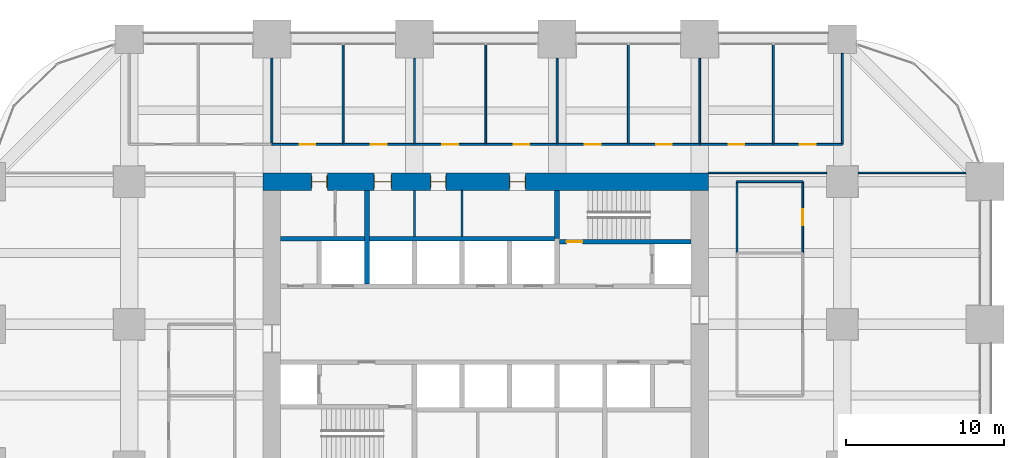
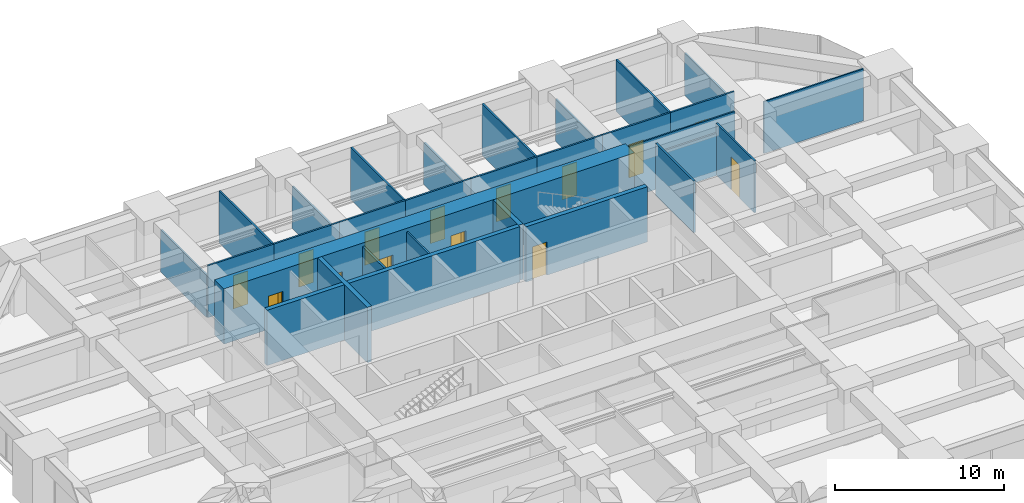
# One storey, part 38 of 40: 29 walls, 14 doors, 14 openings.
"""IFC4 building model written with IfcOpenShell, lengths in metres."""

from ifc_helpers import new_model, si_unit, direction, frame, frame_2d, origin, place, context, subcontext, project, spatial, rectangle, extrude, material, layer, layer_set, type_object, element, fill, save


model = new_model("IFC4")

# Units and contexts
model_context = context("Model", 3, precision=1e-05, world=origin(), true_north=direction((0.0, 1.0)))
body_context = subcontext(model_context, "Body", "Model", "MODEL_VIEW")
ifc_project = project(units=[si_unit("LENGTHUNIT", "METRE"), si_unit("AREAUNIT", "SQUARE_METRE"), si_unit("VOLUMEUNIT", "CUBIC_METRE"), si_unit("PLANEANGLEUNIT", "RADIAN"), si_unit("MASSUNIT", "GRAM", prefix="KILO")], contexts=[model_context])

# Site, building, storey
site_placement = place(None, origin())
site = spatial("IfcSite", under=ifc_project, at=site_placement, CompositionType="ELEMENT")
building_placement = place(site_placement, origin())
building = spatial("IfcBuilding", under=site, at=building_placement, Name="Zorevar Civic Tower", CompositionType="ELEMENT")
storey_placement = place(building_placement, frame((0.0, 0.0, 93.0)))
storey = spatial("IfcBuildingStorey", under=building, at=storey_placement, Name="L22", CompositionType="ELEMENT", Elevation=93.0)

# Wall, openings, doors
ifc_material_1 = material(Name="Concrete C50/60", Category="concrete")
ifc_layer_1 = layer(ifc_material_1, 1.10009765625)
ifc_layer_set_1 = layer_set([ifc_layer_1], Name="Core wall 1100")
wall_type_1 = type_object("IfcWallType", Name="Core wall 1100", PredefinedType="SHEAR", material=ifc_layer_set_1)
wall_1_placement = place(storey_placement, frame((45.550048828125, 36.0, 0.0), z_axis=(0.0, 0.0, 1.0), x_axis=(-1.0, 0.0, 0.0)))
wall_1 = element("IfcWall", 1, at=wall_1_placement, inside=storey, type_object=wall_type_1, Name="Core wall N L22", PredefinedType="SHEAR", context=body_context, shape_type="SweptSolid", body=[
    extrude(rectangle(XDim=28.10009765625, YDim=1.10009765625, at=frame_2d((14.050048828125, 0.0))), origin(), (0.0, 0.0, 1.0), 4.0),
])
opening_1_placement = place(wall_1_placement, frame((11.550048828125, 0.0, 0.0)))
opening_1 = element("IfcOpeningElement", 2, at=opening_1_placement, cuts=wall_1, Name="Opening L22.07", PredefinedType="OPENING", context=body_context, shape_type="SweptSolid", body=[
    extrude(rectangle(XDim=1.0, YDim=2.39990234375, at=frame_2d((0.5, 1.199951171875))), frame((0.0, 0.56005859375, 0.0), z_axis=(0.0, -1.0, 0.0), x_axis=(1.0, 0.0, 0.0)), (0.0, 0.0, 1.0), 1.1201171875),
])
opening_2_placement = place(wall_1_placement, frame((16.550048828125, 0.0, 0.0)))
opening_2 = element("IfcOpeningElement", 3, at=opening_2_placement, cuts=wall_1, Name="Opening L22.08", PredefinedType="OPENING", context=body_context, shape_type="SweptSolid", body=[
    extrude(rectangle(XDim=1.0, YDim=2.39990234375, at=frame_2d((0.5, 1.199951171875))), frame((0.0, 0.56005859375, 0.0), z_axis=(0.0, -1.0, 0.0), x_axis=(1.0, 0.0, 0.0)), (0.0, 0.0, 1.0), 1.1201171875),
])
opening_3_placement = place(wall_1_placement, frame((20.0, 0.0, 0.0)))
opening_3 = element("IfcOpeningElement", 4, at=opening_3_placement, cuts=wall_1, Name="Opening L22.09", PredefinedType="OPENING", context=body_context, shape_type="SweptSolid", body=[
    extrude(rectangle(XDim=1.10009765625, YDim=2.39990234375, at=frame_2d((0.550048828125, 1.199951171875))), frame((0.0, 0.56005859375, 0.0), z_axis=(0.0, -1.0, 0.0), x_axis=(1.0, 0.0, 0.0)), (0.0, 0.0, 1.0), 1.1201171875),
])
opening_4_placement = place(wall_1_placement, frame((24.050048828125, 0.0, 0.0)))
opening_4 = element("IfcOpeningElement", 5, at=opening_4_placement, cuts=wall_1, Name="Opening L22.10", PredefinedType="OPENING", context=body_context, shape_type="SweptSolid", body=[
    extrude(rectangle(XDim=1.0, YDim=2.39990234375, at=frame_2d((0.5, 1.199951171875))), frame((0.0, 0.56005859375, 0.0), z_axis=(0.0, -1.0, 0.0), x_axis=(1.0, 0.0, 0.0)), (0.0, 0.0, 1.0), 1.1201171875),
])
ifc_material_2 = material(Name="Timber door set", Category="wood")
door_type_1 = type_object("IfcDoorType", Name="Door D1 1000x2400", OperationType="SINGLE_SWING_LEFT", PredefinedType="DOOR", material=ifc_material_2)
door_1_placement = place(opening_1_placement, origin())
door_1 = element("IfcDoor", 6, at=door_1_placement, inside=storey, type_object=door_type_1, Name="Door L22 06", OperationType="SINGLE_SWING_LEFT", OverallHeight=2.39990234375, OverallWidth=1.0, PredefinedType="DOOR", context=body_context, shape_type="SweptSolid", body=[
    extrude(rectangle(XDim=1.0, YDim=2.39990234375, at=frame_2d((0.5, 1.199951171875))), frame((0.0, 0.02490234375, 0.0), z_axis=(0.0, -1.0, 0.0), x_axis=(1.0, 0.0, 0.0)), (0.0, 0.0, 1.0), 0.050048828125),
    extrude(rectangle(XDim=0.04, YDim=2.39990234375, at=frame_2d((0.02001953125, 1.199951171875))), frame((0.0, 0.39990234375, 0.0), z_axis=(0.0, -1.0, 0.0), x_axis=(1.0, 0.0, 0.0)), (0.0, 0.0, 1.0), 0.800048828125),
    extrude(rectangle(XDim=0.04, YDim=2.39990234375, at=frame_2d((0.97998046875, 1.199951171875))), frame((0.0, 0.39990234375, 0.0), z_axis=(0.0, -1.0, 0.0), x_axis=(1.0, 0.0, 0.0)), (0.0, 0.0, 1.0), 0.800048828125),
    extrude(rectangle(XDim=1.0, YDim=0.04, at=frame_2d((0.5, 2.3798828125))), frame((0.0, 0.39990234375, 0.0), z_axis=(0.0, -1.0, 0.0), x_axis=(1.0, 0.0, 0.0)), (0.0, 0.0, 1.0), 0.800048828125),
])
fill(opening_1, door_1)
door_2_placement = place(opening_2_placement, origin())
door_2 = element("IfcDoor", 7, at=door_2_placement, inside=storey, type_object=door_type_1, Name="Door L22 07", OperationType="SINGLE_SWING_RIGHT", OverallHeight=2.39990234375, OverallWidth=1.0, PredefinedType="DOOR", context=body_context, shape_type="SweptSolid", body=[
    extrude(rectangle(XDim=1.0, YDim=2.39990234375, at=frame_2d((0.5, 1.199951171875))), frame((0.0, 0.02490234375, 0.0), z_axis=(0.0, -1.0, 0.0), x_axis=(1.0, 0.0, 0.0)), (0.0, 0.0, 1.0), 0.050048828125),
    extrude(rectangle(XDim=0.04, YDim=2.39990234375, at=frame_2d((0.02001953125, 1.199951171875))), frame((0.0, 0.39990234375, 0.0), z_axis=(0.0, -1.0, 0.0), x_axis=(1.0, 0.0, 0.0)), (0.0, 0.0, 1.0), 0.800048828125),
    extrude(rectangle(XDim=0.04, YDim=2.39990234375, at=frame_2d((0.97998046875, 1.199951171875))), frame((0.0, 0.39990234375, 0.0), z_axis=(0.0, -1.0, 0.0), x_axis=(1.0, 0.0, 0.0)), (0.0, 0.0, 1.0), 0.800048828125),
    extrude(rectangle(XDim=1.0, YDim=0.04, at=frame_2d((0.5, 2.3798828125))), frame((0.0, 0.39990234375, 0.0), z_axis=(0.0, -1.0, 0.0), x_axis=(1.0, 0.0, 0.0)), (0.0, 0.0, 1.0), 0.800048828125),
])
fill(opening_2, door_2)
door_3_placement = place(opening_4_placement, origin())
door_3 = element("IfcDoor", 8, at=door_3_placement, inside=storey, type_object=door_type_1, Name="Door L22 09", OperationType="SINGLE_SWING_RIGHT", OverallHeight=2.39990234375, OverallWidth=1.0, PredefinedType="DOOR", context=body_context, shape_type="SweptSolid", body=[
    extrude(rectangle(XDim=1.0, YDim=2.39990234375, at=frame_2d((0.5, 1.199951171875))), frame((0.0, 0.02490234375, 0.0), z_axis=(0.0, -1.0, 0.0), x_axis=(1.0, 0.0, 0.0)), (0.0, 0.0, 1.0), 0.050048828125),
    extrude(rectangle(XDim=0.04, YDim=2.39990234375, at=frame_2d((0.02001953125, 1.199951171875))), frame((0.0, 0.39990234375, 0.0), z_axis=(0.0, -1.0, 0.0), x_axis=(1.0, 0.0, 0.0)), (0.0, 0.0, 1.0), 0.800048828125),
    extrude(rectangle(XDim=0.04, YDim=2.39990234375, at=frame_2d((0.97998046875, 1.199951171875))), frame((0.0, 0.39990234375, 0.0), z_axis=(0.0, -1.0, 0.0), x_axis=(1.0, 0.0, 0.0)), (0.0, 0.0, 1.0), 0.800048828125),
    extrude(rectangle(XDim=1.0, YDim=0.04, at=frame_2d((0.5, 2.3798828125))), frame((0.0, 0.39990234375, 0.0), z_axis=(0.0, -1.0, 0.0), x_axis=(1.0, 0.0, 0.0)), (0.0, 0.0, 1.0), 0.800048828125),
])
fill(opening_4, door_3)
ifc_material_3 = material(Name="Timber door set", Category="wood")
door_type_2 = type_object("IfcDoorType", Name="Door D5 1100x2400", OperationType="SINGLE_SWING_LEFT", PredefinedType="DOOR", material=ifc_material_3)
door_4_placement = place(opening_3_placement, origin())
door_4 = element("IfcDoor", 9, at=door_4_placement, inside=storey, type_object=door_type_2, Name="Door L22 08", OperationType="SINGLE_SWING_RIGHT", OverallHeight=2.39990234375, OverallWidth=1.10009765625, PredefinedType="DOOR", context=body_context, shape_type="SweptSolid", body=[
    extrude(rectangle(XDim=1.10009765625, YDim=2.39990234375, at=frame_2d((0.550048828125, 1.199951171875))), frame((0.0, 0.02490234375, 0.0), z_axis=(0.0, -1.0, 0.0), x_axis=(1.0, 0.0, 0.0)), (0.0, 0.0, 1.0), 0.050048828125),
    extrude(rectangle(XDim=0.04, YDim=2.39990234375, at=frame_2d((0.02001953125, 1.199951171875))), frame((0.0, 0.43994140625, 0.0), z_axis=(0.0, -1.0, 0.0), x_axis=(1.0, 0.0, 0.0)), (0.0, 0.0, 1.0), 0.880126953125),
    extrude(rectangle(XDim=0.04, YDim=2.39990234375, at=frame_2d((1.080078125, 1.199951171875))), frame((0.0, 0.43994140625, 0.0), z_axis=(0.0, -1.0, 0.0), x_axis=(1.0, 0.0, 0.0)), (0.0, 0.0, 1.0), 0.880126953125),
    extrude(rectangle(XDim=1.10009765625, YDim=0.04, at=frame_2d((0.550048828125, 2.3798828125))), frame((0.0, 0.43994140625, 0.0), z_axis=(0.0, -1.0, 0.0), x_axis=(1.0, 0.0, 0.0)), (0.0, 0.0, 1.0), 0.880126953125),
])
fill(opening_3, door_4)

# Walls
ifc_material_4 = material(Name="Laminated glass in black aluminium frame", Category="aluminium")
ifc_layer_2 = layer(ifc_material_4, 0.10009765625)
ifc_layer_set_2 = layer_set([ifc_layer_2], Name="Glazed partition 100")
wall_type_2 = type_object("IfcWallType", Name="Glazed partition 100", PredefinedType="PARTITIONING", material=ifc_layer_set_2)
wall_2_placement = place(storey_placement, frame((45.550048828125, 36.550048828125, 0.0), z_axis=(0.0, 0.0, 1.0), x_axis=(1.0, 0.0, 0.0)))
element("IfcWall", 10, at=wall_2_placement, inside=storey, type_object=wall_type_2, Name="Glazed partition 100 L22", PredefinedType="PARTITIONING", context=body_context, shape_type="SweptSolid", body=[
    extrude(rectangle(XDim=7.449951171875, YDim=0.10009765625, at=frame_2d((3.72509765625, 0.0))), origin(), (0.0, 0.0, 1.0), 3.75),
])
wall_3_placement = place(storey_placement, frame((55.0, 36.550048828125, 0.0), z_axis=(0.0, 0.0, 1.0), x_axis=(1.0, 0.0, 0.0)))
element("IfcWall", 11, at=wall_3_placement, inside=storey, type_object=wall_type_2, Name="Glazed partition 100 L22", PredefinedType="PARTITIONING", context=body_context, shape_type="SweptSolid", body=[
    extrude(rectangle(XDim=6.800048828125, YDim=0.10009765625, at=frame_2d((3.39990234375, 0.0))), origin(), (0.0, 0.0, 1.0), 3.75),
])

# Wall, opening, door
ifc_material_5 = material(Name="Concrete C40/50", Category="concrete")
ifc_layer_3 = layer(ifc_material_5, 0.300048828125)
ifc_layer_set_3 = layer_set([ifc_layer_3], Name="Inner core wall 300")
wall_type_3 = type_object("IfcWallType", Name="Inner core wall 300", PredefinedType="SHEAR", material=ifc_layer_set_3)
wall_4_placement = place(storey_placement, frame((36.14990234375, 32.199951171875, 0.0), z_axis=(0.0, 0.0, 1.0), x_axis=(1.0, 0.0, 0.0)))
wall_4 = element("IfcWall", 12, at=wall_4_placement, inside=storey, type_object=wall_type_3, Name="Inner core wall N00 L22", PredefinedType="SHEAR", context=body_context, shape_type="SweptSolid", body=[
    extrude(rectangle(XDim=8.300048828125, YDim=0.300048828125, at=frame_2d((4.14990234375, 0.0))), origin(), (0.0, 0.0, 1.0), 4.0),
])
opening_5_placement = place(wall_4_placement, frame((0.449951171875, 0.0, 0.0)))
opening_5 = element("IfcOpeningElement", 13, at=opening_5_placement, cuts=wall_4, Name="Opening L22.12", PredefinedType="OPENING", context=body_context, shape_type="SweptSolid", body=[
    extrude(rectangle(XDim=1.0, YDim=2.39990234375, at=frame_2d((0.5, 1.199951171875))), frame((0.0, 0.159912109375, 0.0), z_axis=(0.0, -1.0, 0.0), x_axis=(1.0, 0.0, 0.0)), (0.0, 0.0, 1.0), 0.320068359375),
])
ifc_material_6 = material(Name="Steel door set", Category="steel")
door_type_3 = type_object("IfcDoorType", Name="Fire door FD1 1000x2400", OperationType="SINGLE_SWING_LEFT", PredefinedType="DOOR", material=ifc_material_6)
door_5_placement = place(opening_5_placement, origin())
door_5 = element("IfcDoor", 14, at=door_5_placement, inside=storey, type_object=door_type_3, Name="Door L22 11", OperationType="SINGLE_SWING_RIGHT", OverallHeight=2.39990234375, OverallWidth=1.0, PredefinedType="DOOR", context=body_context, shape_type="SweptSolid", body=[
    extrude(rectangle(XDim=1.0, YDim=2.39990234375, at=frame_2d((0.5, 1.199951171875))), frame((0.0, 0.030029296875, 0.0), z_axis=(0.0, -1.0, 0.0), x_axis=(1.0, 0.0, 0.0)), (0.0, 0.0, 1.0), 0.06005859375),
])
fill(opening_5, door_5)

# Walls
wall_5_placement = place(storey_placement, frame((36.0, 32.39990234375, 0.0), z_axis=(0.0, 0.0, 1.0), x_axis=(0.0, 1.0, 0.0)))
element("IfcWall", 15, at=wall_5_placement, inside=storey, type_object=wall_type_3, Name="Inner core wall N01 L22", PredefinedType="SHEAR", context=body_context, shape_type="SweptSolid", body=[
    extrude(rectangle(XDim=3.050048828125, YDim=0.300048828125, at=frame_2d((1.52490234375, 0.0))), origin(), (0.0, 0.0, 1.0), 4.0),
])
wall_6_placement = place(storey_placement, frame((18.550048828125, 32.39990234375, 0.0), z_axis=(0.0, 0.0, 1.0), x_axis=(1.0, 0.0, 0.0)))
element("IfcWall", 16, at=wall_6_placement, inside=storey, type_object=wall_type_3, Name="Inner core wall N04 L22", PredefinedType="SHEAR", context=body_context, shape_type="SweptSolid", body=[
    extrude(rectangle(XDim=17.300048828125, YDim=0.300048828125, at=frame_2d((8.64990234375, 0.0))), origin(), (0.0, 0.0, 1.0), 4.0),
])
wall_7_placement = place(storey_placement, frame((24.0, 29.550048828125, 0.0), z_axis=(0.0, 0.0, 1.0), x_axis=(0.0, 1.0, 0.0)))
element("IfcWall", 17, at=wall_7_placement, inside=storey, type_object=wall_type_3, Name="Inner core wall N08 L22", PredefinedType="SHEAR", context=body_context, shape_type="SweptSolid", body=[
    extrude(rectangle(XDim=5.89990234375, YDim=0.300048828125, at=frame_2d((2.949951171875, 0.0))), origin(), (0.0, 0.0, 1.0), 4.0),
])
ifc_material_7 = material(Name="Gypsum board on steel studs", Category="steel")
ifc_layer_4 = layer(ifc_material_7, 0.1201171875)
ifc_layer_set_4 = layer_set([ifc_layer_4], Name="Partition 120")
wall_type_4 = type_object("IfcWallType", Name="Partition 120", PredefinedType="PARTITIONING", material=ifc_layer_set_4)
wall_8_placement = place(storey_placement, frame((47.35009765625, 36.0, 0.0), z_axis=(0.0, 0.0, 1.0), x_axis=(1.0, 0.0, 0.0)))
element("IfcWall", 18, at=wall_8_placement, inside=storey, type_object=wall_type_4, Name="Partition 120 L22", PredefinedType="PARTITIONING", context=body_context, shape_type="SweptSolid", body=[
    extrude(rectangle(XDim=4.14990234375, YDim=0.1201171875, at=frame_2d((2.074951171875, 0.0))), origin(), (0.0, 0.0, 1.0), 3.050048828125),
])

# Wall, opening, door
wall_9_placement = place(storey_placement, frame((18.0, 38.35009765625, 0.0), z_axis=(0.0, 0.0, 1.0), x_axis=(1.0, 0.0, 0.0)))
wall_9 = element("IfcWall", 19, at=wall_9_placement, inside=storey, type_object=wall_type_4, Name="Partition 120 L22", PredefinedType="PARTITIONING", context=body_context, shape_type="SweptSolid", body=[
    extrude(rectangle(XDim=4.5, YDim=0.1201171875, at=frame_2d((2.25, 0.0))), origin(), (0.0, 0.0, 1.0), 3.75),
])
opening_6_placement = place(wall_9_placement, frame((1.75, 0.0, 0.0)))
opening_6 = element("IfcOpeningElement", 20, at=opening_6_placement, cuts=wall_9, Name="Opening L22.24", PredefinedType="OPENING", context=body_context, shape_type="SweptSolid", body=[
    extrude(rectangle(XDim=1.0, YDim=2.39990234375, at=frame_2d((0.5, 1.199951171875))), frame((0.0, 0.070068359375, 0.0), z_axis=(0.0, -1.0, 0.0), x_axis=(1.0, 0.0, 0.0)), (0.0, 0.0, 1.0), 0.14013671875),
])
door_6_placement = place(opening_6_placement, origin())
door_6 = element("IfcDoor", 21, at=door_6_placement, inside=storey, type_object=door_type_1, Name="Door L22 D1", OperationType="SINGLE_SWING_LEFT", OverallHeight=2.39990234375, OverallWidth=1.0, PredefinedType="DOOR", context=body_context, shape_type="SweptSolid", body=[
    extrude(rectangle(XDim=1.0, YDim=2.39990234375, at=frame_2d((0.5, 1.199951171875))), frame((0.0, 0.02490234375, 0.0), z_axis=(0.0, -1.0, 0.0), x_axis=(1.0, 0.0, 0.0)), (0.0, 0.0, 1.0), 0.050048828125),
])
fill(opening_6, door_6)

wall_10_placement = place(storey_placement, frame((22.5, 38.35009765625, 0.0), z_axis=(0.0, 0.0, 1.0), x_axis=(1.0, 0.0, 0.0)))
wall_10 = element("IfcWall", 22, at=wall_10_placement, inside=storey, type_object=wall_type_4, Name="Partition 120 L22", PredefinedType="PARTITIONING", context=body_context, shape_type="SweptSolid", body=[
    extrude(rectangle(XDim=4.5, YDim=0.1201171875, at=frame_2d((2.25, 0.0))), origin(), (0.0, 0.0, 1.0), 3.75),
])
opening_7_placement = place(wall_10_placement, frame((1.75, 0.0, 0.0)))
opening_7 = element("IfcOpeningElement", 23, at=opening_7_placement, cuts=wall_10, Name="Opening L22.25", PredefinedType="OPENING", context=body_context, shape_type="SweptSolid", body=[
    extrude(rectangle(XDim=1.0, YDim=2.39990234375, at=frame_2d((0.5, 1.199951171875))), frame((0.0, 0.070068359375, 0.0), z_axis=(0.0, -1.0, 0.0), x_axis=(1.0, 0.0, 0.0)), (0.0, 0.0, 1.0), 0.14013671875),
])
door_7_placement = place(opening_7_placement, origin())
door_7 = element("IfcDoor", 24, at=door_7_placement, inside=storey, type_object=door_type_1, Name="Door L22 D1", OperationType="SINGLE_SWING_LEFT", OverallHeight=2.39990234375, OverallWidth=1.0, PredefinedType="DOOR", context=body_context, shape_type="SweptSolid", body=[
    extrude(rectangle(XDim=1.0, YDim=2.39990234375, at=frame_2d((0.5, 1.199951171875))), frame((0.0, 0.02490234375, 0.0), z_axis=(0.0, -1.0, 0.0), x_axis=(1.0, 0.0, 0.0)), (0.0, 0.0, 1.0), 0.050048828125),
])
fill(opening_7, door_7)

wall_11_placement = place(storey_placement, frame((27.0, 38.35009765625, 0.0), z_axis=(0.0, 0.0, 1.0), x_axis=(1.0, 0.0, 0.0)))
wall_11 = element("IfcWall", 25, at=wall_11_placement, inside=storey, type_object=wall_type_4, Name="Partition 120 L22", PredefinedType="PARTITIONING", context=body_context, shape_type="SweptSolid", body=[
    extrude(rectangle(XDim=4.5, YDim=0.1201171875, at=frame_2d((2.25, 0.0))), origin(), (0.0, 0.0, 1.0), 3.75),
])
opening_8_placement = place(wall_11_placement, frame((1.75, 0.0, 0.0)))
opening_8 = element("IfcOpeningElement", 26, at=opening_8_placement, cuts=wall_11, Name="Opening L22.26", PredefinedType="OPENING", context=body_context, shape_type="SweptSolid", body=[
    extrude(rectangle(XDim=1.0, YDim=2.39990234375, at=frame_2d((0.5, 1.199951171875))), frame((0.0, 0.070068359375, 0.0), z_axis=(0.0, -1.0, 0.0), x_axis=(1.0, 0.0, 0.0)), (0.0, 0.0, 1.0), 0.14013671875),
])
door_8_placement = place(opening_8_placement, origin())
door_8 = element("IfcDoor", 27, at=door_8_placement, inside=storey, type_object=door_type_1, Name="Door L22 D1", OperationType="SINGLE_SWING_LEFT", OverallHeight=2.39990234375, OverallWidth=1.0, PredefinedType="DOOR", context=body_context, shape_type="SweptSolid", body=[
    extrude(rectangle(XDim=1.0, YDim=2.39990234375, at=frame_2d((0.5, 1.199951171875))), frame((0.0, 0.02490234375, 0.0), z_axis=(0.0, -1.0, 0.0), x_axis=(1.0, 0.0, 0.0)), (0.0, 0.0, 1.0), 0.050048828125),
])
fill(opening_8, door_8)

wall_12_placement = place(storey_placement, frame((31.5, 38.35009765625, 0.0), z_axis=(0.0, 0.0, 1.0), x_axis=(1.0, 0.0, 0.0)))
wall_12 = element("IfcWall", 28, at=wall_12_placement, inside=storey, type_object=wall_type_4, Name="Partition 120 L22", PredefinedType="PARTITIONING", context=body_context, shape_type="SweptSolid", body=[
    extrude(rectangle(XDim=4.5, YDim=0.1201171875, at=frame_2d((2.25, 0.0))), origin(), (0.0, 0.0, 1.0), 3.75),
])
opening_9_placement = place(wall_12_placement, frame((1.75, 0.0, 0.0)))
opening_9 = element("IfcOpeningElement", 29, at=opening_9_placement, cuts=wall_12, Name="Opening L22.27", PredefinedType="OPENING", context=body_context, shape_type="SweptSolid", body=[
    extrude(rectangle(XDim=1.0, YDim=2.39990234375, at=frame_2d((0.5, 1.199951171875))), frame((0.0, 0.070068359375, 0.0), z_axis=(0.0, -1.0, 0.0), x_axis=(1.0, 0.0, 0.0)), (0.0, 0.0, 1.0), 0.14013671875),
])
door_9_placement = place(opening_9_placement, origin())
door_9 = element("IfcDoor", 30, at=door_9_placement, inside=storey, type_object=door_type_1, Name="Door L22 D1", OperationType="SINGLE_SWING_RIGHT", OverallHeight=2.39990234375, OverallWidth=1.0, PredefinedType="DOOR", context=body_context, shape_type="SweptSolid", body=[
    extrude(rectangle(XDim=1.0, YDim=2.39990234375, at=frame_2d((0.5, 1.199951171875))), frame((0.0, 0.02490234375, 0.0), z_axis=(0.0, -1.0, 0.0), x_axis=(1.0, 0.0, 0.0)), (0.0, 0.0, 1.0), 0.050048828125),
])
fill(opening_9, door_9)

wall_13_placement = place(storey_placement, frame((36.0, 38.35009765625, 0.0), z_axis=(0.0, 0.0, 1.0), x_axis=(1.0, 0.0, 0.0)))
wall_13 = element("IfcWall", 31, at=wall_13_placement, inside=storey, type_object=wall_type_4, Name="Partition 120 L22", PredefinedType="PARTITIONING", context=body_context, shape_type="SweptSolid", body=[
    extrude(rectangle(XDim=4.5, YDim=0.1201171875, at=frame_2d((2.25, 0.0))), origin(), (0.0, 0.0, 1.0), 3.75),
])
opening_10_placement = place(wall_13_placement, frame((1.75, 0.0, 0.0)))
opening_10 = element("IfcOpeningElement", 32, at=opening_10_placement, cuts=wall_13, Name="Opening L22.28", PredefinedType="OPENING", context=body_context, shape_type="SweptSolid", body=[
    extrude(rectangle(XDim=1.0, YDim=2.39990234375, at=frame_2d((0.5, 1.199951171875))), frame((0.0, 0.070068359375, 0.0), z_axis=(0.0, -1.0, 0.0), x_axis=(1.0, 0.0, 0.0)), (0.0, 0.0, 1.0), 0.14013671875),
])
door_10_placement = place(opening_10_placement, origin())
door_10 = element("IfcDoor", 33, at=door_10_placement, inside=storey, type_object=door_type_1, Name="Door L22 D1", OperationType="SINGLE_SWING_RIGHT", OverallHeight=2.39990234375, OverallWidth=1.0, PredefinedType="DOOR", context=body_context, shape_type="SweptSolid", body=[
    extrude(rectangle(XDim=1.0, YDim=2.39990234375, at=frame_2d((0.5, 1.199951171875))), frame((0.0, 0.02490234375, 0.0), z_axis=(0.0, -1.0, 0.0), x_axis=(1.0, 0.0, 0.0)), (0.0, 0.0, 1.0), 0.050048828125),
])
fill(opening_10, door_10)

wall_14_placement = place(storey_placement, frame((40.5, 38.35009765625, 0.0), z_axis=(0.0, 0.0, 1.0), x_axis=(1.0, 0.0, 0.0)))
wall_14 = element("IfcWall", 34, at=wall_14_placement, inside=storey, type_object=wall_type_4, Name="Partition 120 L22", PredefinedType="PARTITIONING", context=body_context, shape_type="SweptSolid", body=[
    extrude(rectangle(XDim=4.5, YDim=0.1201171875, at=frame_2d((2.25, 0.0))), origin(), (0.0, 0.0, 1.0), 3.75),
])
opening_11_placement = place(wall_14_placement, frame((1.75, 0.0, 0.0)))
opening_11 = element("IfcOpeningElement", 35, at=opening_11_placement, cuts=wall_14, Name="Opening L22.29", PredefinedType="OPENING", context=body_context, shape_type="SweptSolid", body=[
    extrude(rectangle(XDim=1.0, YDim=2.39990234375, at=frame_2d((0.5, 1.199951171875))), frame((0.0, 0.070068359375, 0.0), z_axis=(0.0, -1.0, 0.0), x_axis=(1.0, 0.0, 0.0)), (0.0, 0.0, 1.0), 0.14013671875),
])
door_11_placement = place(opening_11_placement, origin())
door_11 = element("IfcDoor", 36, at=door_11_placement, inside=storey, type_object=door_type_1, Name="Door L22 D1", OperationType="SINGLE_SWING_RIGHT", OverallHeight=2.39990234375, OverallWidth=1.0, PredefinedType="DOOR", context=body_context, shape_type="SweptSolid", body=[
    extrude(rectangle(XDim=1.0, YDim=2.39990234375, at=frame_2d((0.5, 1.199951171875))), frame((0.0, 0.02490234375, 0.0), z_axis=(0.0, -1.0, 0.0), x_axis=(1.0, 0.0, 0.0)), (0.0, 0.0, 1.0), 0.050048828125),
])
fill(opening_11, door_11)

wall_15_placement = place(storey_placement, frame((45.0, 38.35009765625, 0.0), z_axis=(0.0, 0.0, 1.0), x_axis=(1.0, 0.0, 0.0)))
wall_15 = element("IfcWall", 37, at=wall_15_placement, inside=storey, type_object=wall_type_4, Name="Partition 120 L22", PredefinedType="PARTITIONING", context=body_context, shape_type="SweptSolid", body=[
    extrude(rectangle(XDim=4.64990234375, YDim=0.1201171875, at=frame_2d((2.324951171875, 0.0))), origin(), (0.0, 0.0, 1.0), 3.75),
])
opening_12_placement = place(wall_15_placement, frame((1.824951171875, 0.0, 0.0)))
opening_12 = element("IfcOpeningElement", 38, at=opening_12_placement, cuts=wall_15, Name="Opening L22.30", PredefinedType="OPENING", context=body_context, shape_type="SweptSolid", body=[
    extrude(rectangle(XDim=1.0, YDim=2.39990234375, at=frame_2d((0.5, 1.199951171875))), frame((0.0, 0.070068359375, 0.0), z_axis=(0.0, -1.0, 0.0), x_axis=(1.0, 0.0, 0.0)), (0.0, 0.0, 1.0), 0.14013671875),
])
door_12_placement = place(opening_12_placement, origin())
door_12 = element("IfcDoor", 39, at=door_12_placement, inside=storey, type_object=door_type_1, Name="Door L22 D1", OperationType="SINGLE_SWING_RIGHT", OverallHeight=2.39990234375, OverallWidth=1.0, PredefinedType="DOOR", context=body_context, shape_type="SweptSolid", body=[
    extrude(rectangle(XDim=1.0, YDim=2.39990234375, at=frame_2d((0.5, 1.199951171875))), frame((0.0, 0.02490234375, 0.0), z_axis=(0.0, -1.0, 0.0), x_axis=(1.0, 0.0, 0.0)), (0.0, 0.0, 1.0), 0.050048828125),
])
fill(opening_12, door_12)

wall_16_placement = place(storey_placement, frame((49.64990234375, 38.35009765625, 0.0), z_axis=(0.0, 0.0, 1.0), x_axis=(1.0, 0.0, 0.0)))
wall_16 = element("IfcWall", 40, at=wall_16_placement, inside=storey, type_object=wall_type_4, Name="Partition 120 L22", PredefinedType="PARTITIONING", context=body_context, shape_type="SweptSolid", body=[
    extrude(rectangle(XDim=4.35009765625, YDim=0.1201171875, at=frame_2d((2.175048828125, 0.0))), origin(), (0.0, 0.0, 1.0), 3.75),
])
opening_13_placement = place(wall_16_placement, frame((1.675048828125, 0.0, 0.0)))
opening_13 = element("IfcOpeningElement", 41, at=opening_13_placement, cuts=wall_16, Name="Opening L22.31", PredefinedType="OPENING", context=body_context, shape_type="SweptSolid", body=[
    extrude(rectangle(XDim=1.0, YDim=2.39990234375, at=frame_2d((0.5, 1.199951171875))), frame((0.0, 0.070068359375, 0.0), z_axis=(0.0, -1.0, 0.0), x_axis=(1.0, 0.0, 0.0)), (0.0, 0.0, 1.0), 0.14013671875),
])
door_13_placement = place(opening_13_placement, origin())
door_13 = element("IfcDoor", 42, at=door_13_placement, inside=storey, type_object=door_type_1, Name="Door L22 D1", OperationType="SINGLE_SWING_RIGHT", OverallHeight=2.39990234375, OverallWidth=1.0, PredefinedType="DOOR", context=body_context, shape_type="SweptSolid", body=[
    extrude(rectangle(XDim=1.0, YDim=2.39990234375, at=frame_2d((0.5, 1.199951171875))), frame((0.0, 0.02490234375, 0.0), z_axis=(0.0, -1.0, 0.0), x_axis=(1.0, 0.0, 0.0)), (0.0, 0.0, 1.0), 0.050048828125),
])
fill(opening_13, door_13)

# Walls
wall_17_placement = place(storey_placement, frame((18.0, 38.35009765625, 0.0), z_axis=(0.0, 0.0, 1.0), x_axis=(0.0, 1.0, 0.0)))
element("IfcWall", 43, at=wall_17_placement, inside=storey, type_object=wall_type_4, Name="Partition 120 L22", PredefinedType="PARTITIONING", context=body_context, shape_type="SweptSolid", body=[
    extrude(rectangle(XDim=5.449951171875, YDim=0.1201171875, at=frame_2d((2.72509765625, 0.0))), origin(), (0.0, 0.0, 1.0), 3.050048828125),
])
wall_18_placement = place(storey_placement, frame((22.5, 38.35009765625, 0.0), z_axis=(0.0, 0.0, 1.0), x_axis=(0.0, 1.0, 0.0)))
element("IfcWall", 44, at=wall_18_placement, inside=storey, type_object=wall_type_4, Name="Partition 120 L22", PredefinedType="PARTITIONING", context=body_context, shape_type="SweptSolid", body=[
    extrude(rectangle(XDim=6.33984375, YDim=0.1201171875, at=frame_2d((3.169921875, 0.0))), origin(), (0.0, 0.0, 1.0), 3.75),
])
wall_19_placement = place(storey_placement, frame((27.0, 38.35009765625, 0.0), z_axis=(0.0, 0.0, 1.0), x_axis=(0.0, 1.0, 0.0)))
element("IfcWall", 45, at=wall_19_placement, inside=storey, type_object=wall_type_4, Name="Partition 120 L22", PredefinedType="PARTITIONING", context=body_context, shape_type="SweptSolid", body=[
    extrude(rectangle(XDim=5.449951171875, YDim=0.1201171875, at=frame_2d((2.72509765625, 0.0))), origin(), (0.0, 0.0, 1.0), 3.050048828125),
])
wall_20_placement = place(storey_placement, frame((31.5, 38.35009765625, 0.0), z_axis=(0.0, 0.0, 1.0), x_axis=(0.0, 1.0, 0.0)))
element("IfcWall", 46, at=wall_20_placement, inside=storey, type_object=wall_type_4, Name="Partition 120 L22", PredefinedType="PARTITIONING", context=body_context, shape_type="SweptSolid", body=[
    extrude(rectangle(XDim=6.33984375, YDim=0.1201171875, at=frame_2d((3.169921875, 0.0))), origin(), (0.0, 0.0, 1.0), 3.75),
])
wall_21_placement = place(storey_placement, frame((36.0, 38.35009765625, 0.0), z_axis=(0.0, 0.0, 1.0), x_axis=(0.0, 1.0, 0.0)))
element("IfcWall", 47, at=wall_21_placement, inside=storey, type_object=wall_type_4, Name="Partition 120 L22", PredefinedType="PARTITIONING", context=body_context, shape_type="SweptSolid", body=[
    extrude(rectangle(XDim=5.449951171875, YDim=0.1201171875, at=frame_2d((2.72509765625, 0.0))), origin(), (0.0, 0.0, 1.0), 3.050048828125),
])
wall_22_placement = place(storey_placement, frame((40.5, 38.35009765625, 0.0), z_axis=(0.0, 0.0, 1.0), x_axis=(0.0, 1.0, 0.0)))
element("IfcWall", 48, at=wall_22_placement, inside=storey, type_object=wall_type_4, Name="Partition 120 L22", PredefinedType="PARTITIONING", context=body_context, shape_type="SweptSolid", body=[
    extrude(rectangle(XDim=6.33984375, YDim=0.1201171875, at=frame_2d((3.169921875, 0.0))), origin(), (0.0, 0.0, 1.0), 3.75),
])
wall_23_placement = place(storey_placement, frame((45.0, 38.35009765625, 0.0), z_axis=(0.0, 0.0, 1.0), x_axis=(0.0, 1.0, 0.0)))
element("IfcWall", 49, at=wall_23_placement, inside=storey, type_object=wall_type_4, Name="Partition 120 L22", PredefinedType="PARTITIONING", context=body_context, shape_type="SweptSolid", body=[
    extrude(rectangle(XDim=5.449951171875, YDim=0.1201171875, at=frame_2d((2.72509765625, 0.0))), origin(), (0.0, 0.0, 1.0), 3.050048828125),
])
wall_24_placement = place(storey_placement, frame((47.35009765625, 31.5, 0.0), z_axis=(0.0, 0.0, 1.0), x_axis=(0.0, 1.0, 0.0)))
element("IfcWall", 50, at=wall_24_placement, inside=storey, type_object=wall_type_4, Name="Partition 120 L22", PredefinedType="PARTITIONING", context=body_context, shape_type="SweptSolid", body=[
    extrude(rectangle(XDim=4.5, YDim=0.1201171875, at=frame_2d((2.25, 0.0))), origin(), (0.0, 0.0, 1.0), 3.75),
])
wall_25_placement = place(storey_placement, frame((49.64990234375, 38.35009765625, 0.0), z_axis=(0.0, 0.0, 1.0), x_axis=(0.0, 1.0, 0.0)))
element("IfcWall", 51, at=wall_25_placement, inside=storey, type_object=wall_type_4, Name="Partition 120 L22", PredefinedType="PARTITIONING", context=body_context, shape_type="SweptSolid", body=[
    extrude(rectangle(XDim=6.33984375, YDim=0.1201171875, at=frame_2d((3.169921875, 0.0))), origin(), (0.0, 0.0, 1.0), 3.75),
])

# Wall, opening, door
wall_26_placement = place(storey_placement, frame((51.5, 31.5, 0.0), z_axis=(0.0, 0.0, 1.0), x_axis=(0.0, 1.0, 0.0)))
wall_26 = element("IfcWall", 52, at=wall_26_placement, inside=storey, type_object=wall_type_4, Name="Partition 120 L22", PredefinedType="PARTITIONING", context=body_context, shape_type="SweptSolid", body=[
    extrude(rectangle(XDim=4.5, YDim=0.1201171875, at=frame_2d((2.25, 0.0))), origin(), (0.0, 0.0, 1.0), 3.75),
])
opening_14_placement = place(wall_26_placement, frame((1.75, 0.0, 0.0)))
opening_14 = element("IfcOpeningElement", 53, at=opening_14_placement, cuts=wall_26, Name="Opening L22.35", PredefinedType="OPENING", context=body_context, shape_type="SweptSolid", body=[
    extrude(rectangle(XDim=1.0, YDim=2.39990234375, at=frame_2d((0.5, 1.199951171875))), frame((0.0, 0.070068359375, 0.0), z_axis=(0.0, -1.0, 0.0), x_axis=(1.0, 0.0, 0.0)), (0.0, 0.0, 1.0), 0.14013671875),
])
door_14_placement = place(opening_14_placement, origin())
door_14 = element("IfcDoor", 54, at=door_14_placement, inside=storey, type_object=door_type_1, Name="Door L22 D1", OperationType="SINGLE_SWING_RIGHT", OverallHeight=2.39990234375, OverallWidth=1.0, PredefinedType="DOOR", context=body_context, shape_type="SweptSolid", body=[
    extrude(rectangle(XDim=1.0, YDim=2.39990234375, at=frame_2d((0.5, 1.199951171875))), frame((0.0, 0.02490234375, 0.0), z_axis=(0.0, -1.0, 0.0), x_axis=(1.0, 0.0, 0.0)), (0.0, 0.0, 1.0), 0.050048828125),
])
fill(opening_14, door_14)

# Walls
wall_27_placement = place(storey_placement, frame((54.0, 38.35009765625, 0.0), z_axis=(0.0, 0.0, 1.0), x_axis=(0.0, 1.0, 0.0)))
element("IfcWall", 55, at=wall_27_placement, inside=storey, type_object=wall_type_4, Name="Partition 120 L22", PredefinedType="PARTITIONING", context=body_context, shape_type="SweptSolid", body=[
    extrude(rectangle(XDim=5.75, YDim=0.1201171875, at=frame_2d((2.875, 0.0))), origin(), (0.0, 0.0, 1.0), 3.050048828125),
])
wall_28_placement = place(storey_placement, frame((30.0, 32.550048828125, 0.0), z_axis=(0.0, 0.0, 1.0), x_axis=(0.0, 1.0, 0.0)))
element("IfcWall", 56, at=wall_28_placement, inside=storey, type_object=wall_type_4, Name="Partition L22", PredefinedType="PARTITIONING", context=body_context, shape_type="SweptSolid", body=[
    extrude(rectangle(XDim=2.89990234375, YDim=0.1201171875, at=frame_2d((1.449951171875, 0.0))), origin(), (0.0, 0.0, 1.0), 3.75),
])
ifc_material_8 = material(Name="Gypsum board on steel studs, moisture resistant", Category="steel")
ifc_layer_5 = layer(ifc_material_8, 0.14990234375)
ifc_layer_set_5 = layer_set([ifc_layer_5], Name="WC partition 150")
wall_type_5 = type_object("IfcWallType", Name="WC partition 150", PredefinedType="PARTITIONING", material=ifc_layer_set_5)
wall_29_placement = place(storey_placement, frame((27.0, 32.550048828125, 0.0), z_axis=(0.0, 0.0, 1.0), x_axis=(0.0, 1.0, 0.0)))
element("IfcWall", 57, at=wall_29_placement, inside=storey, type_object=wall_type_5, Name="WC partition L22", PredefinedType="PARTITIONING", context=body_context, shape_type="SweptSolid", body=[
    extrude(rectangle(XDim=2.89990234375, YDim=0.14990234375, at=frame_2d((1.449951171875, 0.0))), origin(), (0.0, 0.0, 1.0), 3.75),
])

save(model, "model.ifc")
